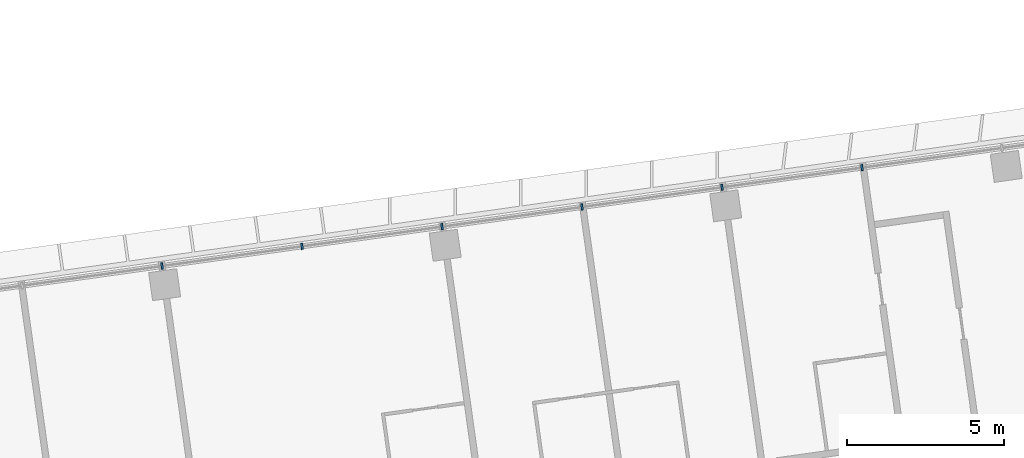
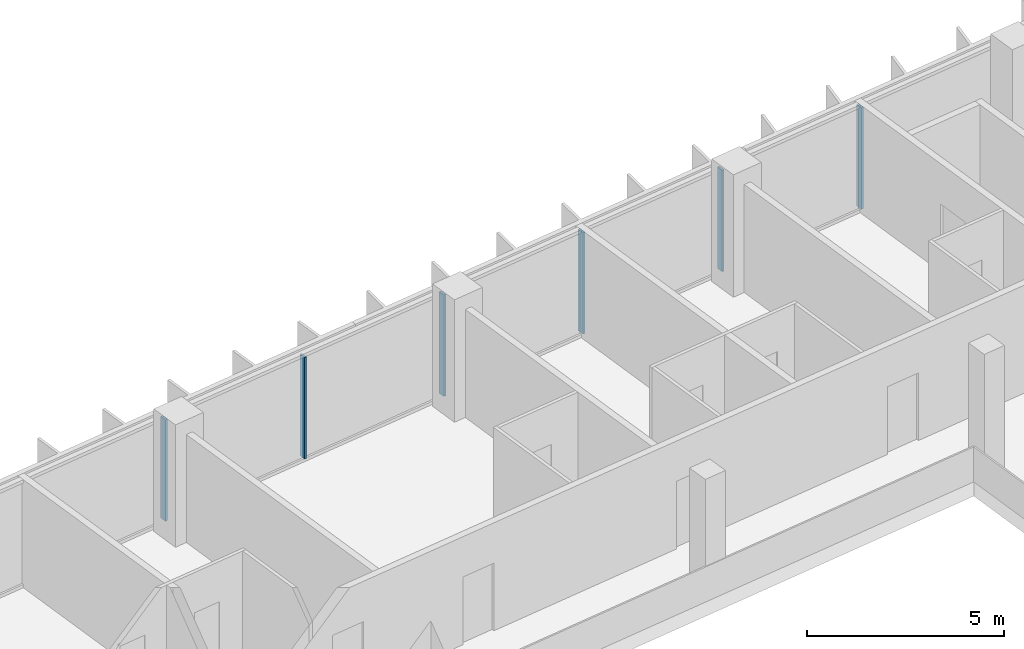
# One storey, part 10 of 26: 6 members, 1 element without a shape of its own.
"""IFC4 building model written with IfcOpenShell, lengths in metres."""

import ifcopenshell
import ifcopenshell.guid

model = None  # the IFC model being written
_history = None  # IfcOwnerHistory: only IFC2X3 demands one
_inside = {}  # id of a spatial element -> (the spatial element, [elements in it])
_under = {}  # id of a project, library or spatial element -> (it, [spatial elements below it])
_declared = {}  # id of a project -> (the project, [libraries it declares])
_typed = {}  # id of a type object -> (the type object, [elements of that type])
_made_of = {}  # id of a material, layer set ... -> (it, [elements and type objects made of it])


def new_model(schema):
    """Start an empty IFC model of exactly this schema.

    Asked for "IFC4X3", IfcOpenShell would pick the latest addendum, in which some entities
    have other attributes; the version numbers below select the first issue.
    IFC2X3 requires an IfcOwnerHistory on every rooted entity: one is made here for all.
    """
    global model, _history
    if schema == "IFC4X3":
        model = ifcopenshell.file(schema_version=(4, 3, 0, 0))
    else:
        model = ifcopenshell.file(schema=schema)
    _inside.clear()
    _under.clear()
    _declared.clear()
    _typed.clear()
    _made_of.clear()
    _history = None
    if model.schema == "IFC2X3":
        org = make("IfcOrganization", Name="unknown")
        user = make(
            "IfcPersonAndOrganization",
            ThePerson=make("IfcPerson", FamilyName="unknown"),
            TheOrganization=org,
        )
        app = make(
            "IfcApplication",
            ApplicationDeveloper=org,
            Version="unknown",
            ApplicationFullName="unknown",
            ApplicationIdentifier="unknown",
        )
        _history = make(
            "IfcOwnerHistory",
            OwningUser=user,
            OwningApplication=app,
            ChangeAction="ADDED",
            CreationDate=0,
        )
    return model


def make(cls, **values):
    """One entity of the class cls with the attributes given. An attribute that is None is left unset."""
    return model.create_entity(
        cls, **{name: value for name, value in values.items() if value is not None}
    )


def rooted(cls, **values):
    """An entity with a GlobalId (a new one), such as an element, a storey or a relation."""
    return make(cls, GlobalId=ifcopenshell.guid.new(), OwnerHistory=_history, **values)


def si_unit(unit_type, name, prefix=None):
    """IfcSIUnit, for example si_unit("LENGTHUNIT", "METRE", prefix="MILLI")."""
    return make("IfcSIUnit", UnitType=unit_type, Prefix=prefix, Name=name)


def assignment(units):
    """IfcUnitAssignment: the units of a project."""
    return None if units is None else make("IfcUnitAssignment", Units=units)


def point(xyz):
    """IfcCartesianPoint."""
    return None if xyz is None else make("IfcCartesianPoint", Coordinates=xyz)


def direction(xyz):
    """IfcDirection."""
    return None if xyz is None else make("IfcDirection", DirectionRatios=xyz)


def frame(location, z_axis=None, x_axis=None):
    """IfcAxis2Placement3D, a coordinate frame: its origin and axes. An axis left out is left unset."""
    return make(
        "IfcAxis2Placement3D",
        Location=point(location),
        Axis=direction(z_axis),
        RefDirection=direction(x_axis),
    )


def frame_2d(location, x_axis=None):
    """IfcAxis2Placement2D, a coordinate frame in the plane: its origin and x axis."""
    return make(
        "IfcAxis2Placement2D", Location=point(location), RefDirection=direction(x_axis)
    )


def origin():
    """The frame at (0, 0, 0) with its axes left unset."""
    return frame((0.0, 0.0, 0.0))


def origin_2d():
    """The frame at (0, 0) in the plane with its x axis left unset."""
    return frame_2d((0.0, 0.0))


def place(relative_to, where):
    """IfcLocalPlacement: puts the frame where relative to a parent placement (None: the world)."""
    return make(
        "IfcLocalPlacement", PlacementRelTo=relative_to, RelativePlacement=where
    )


def context(
    kind, dimensions, precision=None, world=None, true_north=None, identifier=None
):
    """IfcGeometricRepresentationContext, for example the 3D "Model" context."""
    return make(
        "IfcGeometricRepresentationContext",
        ContextIdentifier=identifier,
        ContextType=kind,
        CoordinateSpaceDimension=dimensions,
        Precision=precision,
        WorldCoordinateSystem=world,
        TrueNorth=true_north,
    )


def subcontext(parent, identifier, kind, view, scale=None):
    """IfcGeometricRepresentationSubContext, for example "Body" below "Model"."""
    return make(
        "IfcGeometricRepresentationSubContext",
        ContextIdentifier=identifier,
        ContextType=kind,
        ParentContext=parent,
        TargetScale=scale,
        TargetView=view,
    )


def project(units=None, contexts=None):
    """IfcProject with its units and contexts."""
    return rooted(
        "IfcProject",
        Name="project",
        RepresentationContexts=contexts,
        UnitsInContext=assignment(units),
    )


def spatial(cls, under=None, at=None, **own):
    """A site, building, storey or space (cls), placed at a placement, below another one or the project."""
    s = rooted(cls, ObjectPlacement=at, **own)
    if under is not None:
        _under.setdefault(under.id(), (under, []))[1].append(s)
    return s


def profile(cls, at=None, kind="AREA", **sizes):
    """A parametric profile (cls). Its sizes go by their IFC names, for example OverallWidth=200.0."""
    return make(cls, ProfileType=kind, Position=at, **sizes)


def rectangle(**sizes):
    """IfcRectangleProfileDef."""
    return profile("IfcRectangleProfileDef", **sizes)


def extrude(swept, where, along, depth):
    """IfcExtrudedAreaSolid: the profile swept, set in the frame where, extruded along a direction by depth."""
    return make(
        "IfcExtrudedAreaSolid",
        SweptArea=swept,
        Position=where,
        ExtrudedDirection=direction(along),
        Depth=depth,
    )


def shape(context_of_items, identifier, shape_type, items):
    """IfcShapeRepresentation: the items that make up one representation, for example the "Body"."""
    return make(
        "IfcShapeRepresentation",
        ContextOfItems=context_of_items,
        RepresentationIdentifier=identifier,
        RepresentationType=shape_type,
        Items=items,
    )


def material(Name=None, Category=None):
    """IfcMaterial."""
    return make("IfcMaterial", Name=Name, Category=Category)


def material_profile(
    of_material, cross_section, Name=None, Category=None, Priority=None
):
    """IfcMaterialProfile: a cross section and its material."""
    return make(
        "IfcMaterialProfile",
        Name=Name,
        Material=of_material,
        Profile=cross_section,
        Priority=Priority,
        Category=Category,
    )


def profile_set(profiles, Name=None, composite=None):
    """IfcMaterialProfileSet."""
    return make(
        "IfcMaterialProfileSet",
        Name=Name,
        MaterialProfiles=profiles,
        CompositeProfile=composite,
    )


def made_of(thing, what):
    """Note that an element or type object is made of a material, layer set ...; save() writes the relation."""
    if what is not None:
        _made_of.setdefault(what.id(), (what, []))[1].append(thing)
    return thing


def type_object(cls, material=None, **own):
    """A type object (cls), such as IfcWallType, which elements share."""
    return made_of(rooted(cls, **own), material)


def element(
    cls,
    number,
    at=None,
    inside=None,
    cuts=None,
    type_object=None,
    material=None,
    context=None,
    identifier="Body",
    shape_type=None,
    held_by="IfcProductDefinitionShape",
    body=None,
    shapes=None,
    **own,
):
    """One element of the class cls, such as IfcWall. Its Tag is "e" and its number.

    at: its placement. inside: the storey or other place that contains it. cuts: it is an
    opening in that element (IfcRelVoidsElement). A single representation is given by context,
    identifier, shape_type and body (its items); several are given by shapes. held_by: the class
    of the entity that holds the representations. save() writes the other relations.
    """
    e = rooted(cls, Tag="e%d" % number, ObjectPlacement=at, **own)
    if body is not None:
        shapes = [shape(context, identifier, shape_type, body)]
    if shapes is not None:
        e.Representation = make(held_by, Representations=shapes)
    if inside is not None:
        _inside.setdefault(inside.id(), (inside, []))[1].append(e)
    if cuts is not None:
        rooted(
            "IfcRelVoidsElement", RelatingBuildingElement=cuts, RelatedOpeningElement=e
        )
    if type_object is not None:
        _typed.setdefault(type_object.id(), (type_object, []))[1].append(e)
    return made_of(e, material)


def aggregate(whole, parts):
    """IfcRelAggregates: a whole, such as a stair, and the parts it consists of."""
    return rooted("IfcRelAggregates", RelatingObject=whole, RelatedObjects=parts)


def save(model, path):
    """Write the relations noted so far, then the file.

    IfcRelAggregates (storeys below a building ...), IfcRelContainedInSpatialStructure (elements
    in a storey), IfcRelDefinesByType, IfcRelAssociatesMaterial and IfcRelDeclares: one each for
    every whole, place, type object, material and project.
    """
    for whole, parts in _under.values():
        aggregate(whole, parts)
    for where, things in _inside.values():
        rooted(
            "IfcRelContainedInSpatialStructure",
            RelatedElements=things,
            RelatingStructure=where,
        )
    for kind, things in _typed.values():
        rooted("IfcRelDefinesByType", RelatedObjects=things, RelatingType=kind)
    for what, things in _made_of.values():
        rooted("IfcRelAssociatesMaterial", RelatedObjects=things, RelatingMaterial=what)
    for by, libraries in _declared.values():
        rooted("IfcRelDeclares", RelatingContext=by, RelatedDefinitions=libraries)
    model.write(path)


model = new_model("IFC4")

# Units and contexts
model_context = context("Model", 3, precision=1e-05, world=origin(), true_north=direction((0.0, 1.0)))
body_context = subcontext(model_context, "Body", "Model", "MODEL_VIEW")
ifc_project = project(units=[si_unit("LENGTHUNIT", "METRE"), si_unit("AREAUNIT", "SQUARE_METRE"), si_unit("VOLUMEUNIT", "CUBIC_METRE"), si_unit("PLANEANGLEUNIT", "RADIAN"), si_unit("MASSUNIT", "GRAM", prefix="KILO")], contexts=[model_context])

# Site, building, storey
site_placement = place(None, origin())
site = spatial("IfcSite", under=ifc_project, at=site_placement, CompositionType="ELEMENT")
building_placement = place(site_placement, origin())
building = spatial("IfcBuilding", under=site, at=building_placement, Name="Mirante Cascada Hotel Towers", CompositionType="ELEMENT")
storey_placement = place(building_placement, frame((0.0, 0.0, 113.9)))
storey = spatial("IfcBuildingStorey", under=building, at=storey_placement, Name="L25", CompositionType="ELEMENT", Elevation=113.9)

# Curtain wall, members
ifc_material_1 = material(Name="Aluminium mullion and transom frame with clear laminated glass", Category="aluminium")
curtain_wall_type = type_object("IfcCurtainWallType", Name="Ribbon curtain wall ECW1", PredefinedType="NOTDEFINED", material=ifc_material_1)
curtain_wall_placement = place(storey_placement, origin())
curtain_wall = element("IfcCurtainWall", 1, at=curtain_wall_placement, inside=storey, type_object=curtain_wall_type, Name="Front ribbon wall T2 L25", PredefinedType="NOTDEFINED")
ifc_material_2 = material(Name="Anodised aluminium extrusion", Category="aluminium")
ifc_material_profile = material_profile(ifc_material_2, rectangle(XDim=0.2, YDim=0.065, at=origin_2d()), Name="ECW1 MULLION 65x200")
ifc_profile_set = profile_set([ifc_material_profile], Name="Anodised aluminium extrusion")
member_type = type_object("IfcMemberType", Name="ECW1 mullion 65x200", PredefinedType="MULLION", material=ifc_profile_set)
member_1_placement = place(storey_placement, frame((85.2633, 24.802, 0.1), z_axis=(0.0, 0.0, 1.0), x_axis=(0.1391731, -0.9902681, 0.0)))
member_1 = element("IfcMember", 2, at=member_1_placement, type_object=member_type, Name="ECW1 mullion 3", PredefinedType="MULLION", context=body_context, shape_type="SweptSolid", body=[
    extrude(rectangle(XDim=0.2, YDim=0.065, at=origin_2d()), origin(), (0.0, 0.0, 1.0), 3.15),
])
member_2_placement = place(storey_placement, frame((80.8159, 24.177, 0.1), z_axis=(0.0, 0.0, 1.0), x_axis=(0.1391731, -0.9902681, 0.0)))
member_2 = element("IfcMember", 3, at=member_2_placement, type_object=member_type, Name="ECW1 mullion 4", PredefinedType="MULLION", context=body_context, shape_type="SweptSolid", body=[
    extrude(rectangle(XDim=0.2, YDim=0.065, at=origin_2d()), origin(), (0.0, 0.0, 1.0), 3.15),
])
member_3_placement = place(storey_placement, frame((76.3685, 23.5519, 0.1), z_axis=(0.0, 0.0, 1.0), x_axis=(0.1391731, -0.9902681, 0.0)))
member_3 = element("IfcMember", 4, at=member_3_placement, type_object=member_type, Name="ECW1 mullion 5", PredefinedType="MULLION", context=body_context, shape_type="SweptSolid", body=[
    extrude(rectangle(XDim=0.2, YDim=0.065, at=origin_2d()), origin(), (0.0, 0.0, 1.0), 3.15),
])
member_4_placement = place(storey_placement, frame((71.9211, 22.9269, 0.1), z_axis=(0.0, 0.0, 1.0), x_axis=(0.1391731, -0.9902681, 0.0)))
member_4 = element("IfcMember", 5, at=member_4_placement, type_object=member_type, Name="ECW1 mullion 6", PredefinedType="MULLION", context=body_context, shape_type="SweptSolid", body=[
    extrude(rectangle(XDim=0.2, YDim=0.065, at=origin_2d()), origin(), (0.0, 0.0, 1.0), 3.15),
])
member_5_placement = place(storey_placement, frame((67.4737, 22.3018, 0.1), z_axis=(0.0, 0.0, 1.0), x_axis=(0.1391731, -0.9902681, 0.0)))
member_5 = element("IfcMember", 6, at=member_5_placement, type_object=member_type, Name="ECW1 mullion 7", PredefinedType="MULLION", context=body_context, shape_type="SweptSolid", body=[
    extrude(rectangle(XDim=0.2, YDim=0.065, at=origin_2d()), origin(), (0.0, 0.0, 1.0), 3.15),
])
member_6_placement = place(storey_placement, frame((63.0262, 21.6768, 0.1), z_axis=(0.0, 0.0, 1.0), x_axis=(0.1391731, -0.9902681, 0.0)))
member_6 = element("IfcMember", 7, at=member_6_placement, type_object=member_type, Name="ECW1 mullion 8", PredefinedType="MULLION", context=body_context, shape_type="SweptSolid", body=[
    extrude(rectangle(XDim=0.2, YDim=0.065, at=origin_2d()), origin(), (0.0, 0.0, 1.0), 3.15),
])
aggregate(curtain_wall, [member_1, member_2, member_3, member_4, member_5, member_6])

save(model, "model.ifc")
